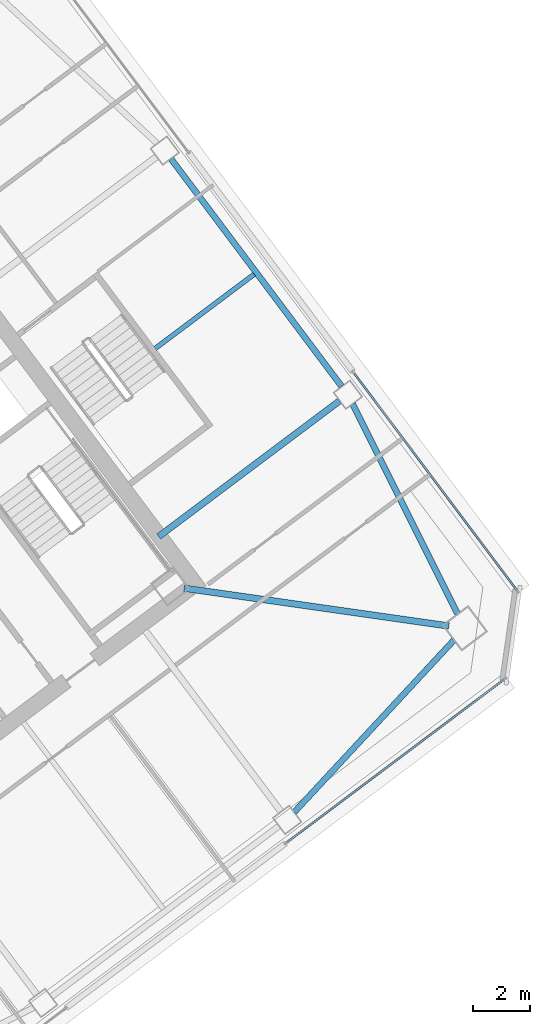
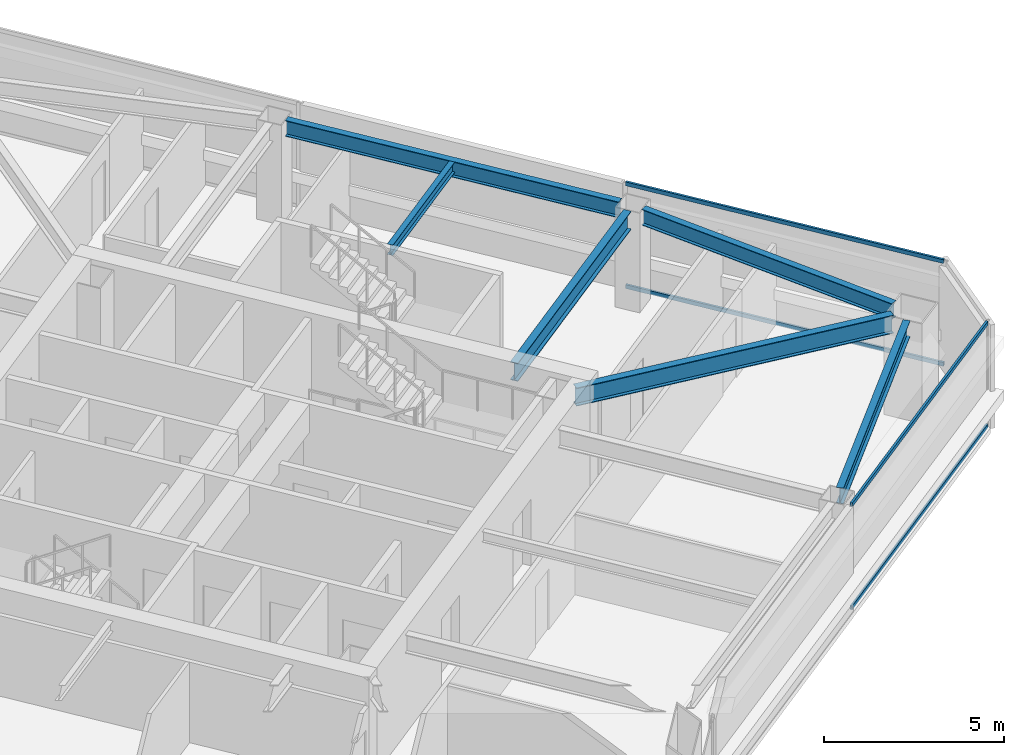
# One storey, part 25 of 41: 6 beams, 4 members, 2 elements without a shape of their own.
"""IFC4 building model written with IfcOpenShell, lengths in metres."""

from ifc_helpers import new_model, si_unit, direction, frame, origin, origin_2d, place, context, subcontext, project, spatial, hollow_rectangle, i_section, extrude, material, material_profile, profile_set, type_object, element, aggregate, save


model = new_model("IFC4")

# Units and contexts
model_context = context("Model", 3, precision=1e-05, world=origin(), true_north=direction((0.0, 1.0)))
body_context = subcontext(model_context, "Body", "Model", "MODEL_VIEW")
ifc_project = project(units=[si_unit("LENGTHUNIT", "METRE"), si_unit("AREAUNIT", "SQUARE_METRE"), si_unit("VOLUMEUNIT", "CUBIC_METRE"), si_unit("PLANEANGLEUNIT", "RADIAN"), si_unit("MASSUNIT", "GRAM", prefix="KILO")], contexts=[model_context])

# Site, building, storey
site_placement = place(None, origin())
site = spatial("IfcSite", under=ifc_project, at=site_placement, CompositionType="ELEMENT")
building_placement = place(site_placement, origin())
building = spatial("IfcBuilding", under=site, at=building_placement, Name="Tashvorn Skyway Center", CompositionType="ELEMENT")
storey_placement = place(building_placement, frame((0.0, 0.0, 192.5)))
storey = spatial("IfcBuildingStorey", under=building, at=storey_placement, Name="L52", CompositionType="ELEMENT", Elevation=192.5)

# Beams
ifc_material_1 = material(Name="Steel ASTM A992 Grade 50", Category="steel")
ifc_material_profile_1 = material_profile(ifc_material_1, i_section(OverallWidth=0.22998046875, OverallDepth=0.616943359375, WebThickness=0.01318359375, FlangeThickness=0.022216796875, at=origin_2d()), Name="W24X94")
ifc_profile_set_1 = profile_set([ifc_material_profile_1], Name="Steel ASTM A992 Grade 50")
beam_type_1 = type_object("IfcBeamType", Name="BM-BEAM-W24X94", PredefinedType="BEAM", material=ifc_profile_set_1)
beam_1_placement = place(storey_placement, frame((133.73583984375, 29.1806640625, 3.0615234375), z_axis=(-0.989950009213, 0.141417747326, 0.0), x_axis=(-0.141417747326, -0.989950009213, 0.0)))
element("IfcBeam", 1, at=beam_1_placement, inside=storey, type_object=beam_type_1, Name="Tower 2 L52 Primary Floor Girder MC-SE", PredefinedType="BEAM", context=body_context, shape_type="SweptSolid", body=[
    extrude(i_section(OverallWidth=0.22998046875, OverallDepth=0.616943359375, WebThickness=0.01318359375, FlangeThickness=0.022216796875, at=origin_2d()), origin(), (0.0, 0.0, 1.0), 9.470947265625),
])
beam_2_placement = place(storey_placement, frame((129.864013671875, 37.14794921875, 3.0615234375), z_axis=(-0.799992675677, -0.60000976564, 0.0), x_axis=(0.60000976564, -0.799992675677, 0.0)))
element("IfcBeam", 2, at=beam_2_placement, inside=storey, type_object=beam_type_1, Name="Tower 2 L52 Primary Floor Girder FC-E1", PredefinedType="BEAM", context=body_context, shape_type="SweptSolid", body=[
    extrude(i_section(OverallWidth=0.22998046875, OverallDepth=0.616943359375, WebThickness=0.01318359375, FlangeThickness=0.022216796875, at=origin_2d()), origin(), (0.0, 0.0, 1.0), 8.0),
])
ifc_material_profile_2 = material_profile(ifc_material_1, i_section(OverallWidth=0.1708984375, OverallDepth=0.35498046875, WebThickness=0.007080078125, FlangeThickness=0.01171875, at=origin_2d()), Name="W14X34")
ifc_profile_set_2 = profile_set([ifc_material_profile_2], Name="Steel ASTM A992 Grade 50")
beam_type_2 = type_object("IfcBeamType", Name="BM-JOIST-W14X34", PredefinedType="JOIST", material=ifc_profile_set_2)
beam_3_placement = place(storey_placement, frame((123.3359375, 39.001953125, 3.1923828125), z_axis=(0.799993315235, 0.600008912917, 0.0), x_axis=(-0.600008912917, 0.799993315235, 0.0)))
element("IfcBeam", 3, at=beam_3_placement, inside=storey, type_object=beam_type_2, Name="Tower 2 L52 Secondary Composite Joist JE", PredefinedType="JOIST", context=body_context, shape_type="SweptSolid", body=[
    extrude(i_section(OverallWidth=0.1708984375, OverallDepth=0.35498046875, WebThickness=0.007080078125, FlangeThickness=0.01171875, at=origin_2d()), origin(), (0.0, 0.0, 1.0), 4.382568359375),
])
ifc_material_profile_3 = material_profile(ifc_material_1, i_section(OverallWidth=0.2109375, OverallDepth=0.5390625, WebThickness=0.01171875, FlangeThickness=0.018798828125, at=origin_2d()), Name="W21X73")
ifc_profile_set_3 = profile_set([ifc_material_profile_3], Name="Steel ASTM A992 Grade 50")
beam_type_3 = type_object("IfcBeamType", Name="BM-SPANDREL-W21X73", PredefinedType="SPANDREL", material=ifc_profile_set_3)
for number, where, z_axis, x_axis, name in (
    (4, (128.26171875, 22.59130859375, 3.1005859375), (0.680119661736, 0.733101115618, 0.0), (-0.733101115618, 0.680119661736, 0.0), "Tower 2 L52 Spandrel Beam 03"),
    (5, (134.044921875, 29.609619140625, 3.1005859375), (-0.447648438059, 0.894209637559, 0.0), (-0.894209637559, -0.447648438059, 0.0), "Tower 2 L52 Spandrel Beam 04"),
):
    element("IfcBeam", number, at=place(storey_placement, frame(where, z_axis=z_axis, x_axis=x_axis)), inside=storey, type_object=beam_type_3, Name=name, PredefinedType="SPANDREL", context=body_context, shape_type="SweptSolid", body=[
        extrude(i_section(OverallWidth=0.2109375, OverallDepth=0.5390625, WebThickness=0.01171875, FlangeThickness=0.018798828125, at=origin_2d()), origin(), (0.0, 0.0, 1.0), 8.308349609375),
    ])
beam_4_placement = place(storey_placement, frame((129.93798828125, 37.666015625, 3.1005859375), z_axis=(-0.599988351091, 0.800008736549, 0.0), x_axis=(-0.800008736549, -0.599988351091, 0.0)))
element("IfcBeam", 6, at=beam_4_placement, inside=storey, type_object=beam_type_3, Name="Tower 2 L52 Spandrel Beam 05", PredefinedType="SPANDREL", context=body_context, shape_type="SweptSolid", body=[
    extrude(i_section(OverallWidth=0.2109375, OverallDepth=0.5390625, WebThickness=0.01171875, FlangeThickness=0.018798828125, at=origin_2d()), origin(), (0.0, 0.0, 1.0), 10.06005859375),
])

# Curtain wall, members
ifc_material_2 = material(Name="Thermally broken bronze-anodized aluminium 6063-T6", Category="aluminium")
curtain_wall_type = type_object("IfcCurtainWallType", Name="CW-CW-Z4", PredefinedType="NOTDEFINED", material=ifc_material_2)
curtain_wall_1_placement = place(storey_placement, origin())
curtain_wall_1 = element("IfcCurtainWall", 7, at=curtain_wall_1_placement, inside=storey, type_object=curtain_wall_type, Name="Tower 2 L52 South Unitised Curtain Wall Glazing Group 1", PredefinedType="NOTDEFINED")
ifc_material_profile_4 = material_profile(ifc_material_2, hollow_rectangle(XDim=0.070068359375, YDim=0.1298828125, WallThickness=0.00390625, at=origin_2d()), Name="ALU-TRAN-70x130")
ifc_profile_set_4 = profile_set([ifc_material_profile_4], Name="Thermally broken bronze-anodized aluminium 6063-T6")
member_type = type_object("IfcMemberType", Name="CWT-CW-Z4", PredefinedType="USERDEFINED", material=ifc_profile_set_4)
member_1_placement = place(storey_placement, frame((135.676025390625, 27.281982421875, 0.034912109375), z_axis=(-0.8, -0.6, 0.0), x_axis=(0.6, -0.8, 0.0)))
member_1 = element("IfcMember", 8, at=member_1_placement, type_object=member_type, Name="CW-Z4 transom 1.1", ObjectType="TRANSOM", PredefinedType="USERDEFINED", context=body_context, shape_type="SweptSolid", body=[
    extrude(hollow_rectangle(XDim=0.070068359375, YDim=0.1298828125, WallThickness=0.00390625, at=origin_2d()), origin(), (0.0, 0.0, 1.0), 9.580078125),
])
member_2_placement = place(storey_placement, frame((135.676025390625, 27.281982421875, 3.514892578125), z_axis=(-0.8, -0.6, 0.0), x_axis=(0.6, -0.8, 0.0)))
member_2 = element("IfcMember", 9, at=member_2_placement, type_object=member_type, Name="CW-Z4 transom 1.2", ObjectType="TRANSOM", PredefinedType="USERDEFINED", context=body_context, shape_type="SweptSolid", body=[
    extrude(hollow_rectangle(XDim=0.070068359375, YDim=0.1298828125, WallThickness=0.00390625, at=origin_2d()), origin(), (0.0, 0.0, 1.0), 9.580078125),
])
aggregate(curtain_wall_1, [member_1, member_2])

curtain_wall_2_placement = place(storey_placement, origin())
curtain_wall_2 = element("IfcCurtainWall", 10, at=curtain_wall_2_placement, inside=storey, type_object=curtain_wall_type, Name="Tower 2 L52 East Unitised Curtain Wall Glazing Group 2", PredefinedType="NOTDEFINED")
member_3_placement = place(storey_placement, frame((130.382080078125, 38.1240234375, 0.034912109375), z_axis=(0.599983689738, -0.800012232437, 0.0), x_axis=(0.800012232437, 0.599983689738, 0.0)))
member_3 = element("IfcMember", 11, at=member_3_placement, type_object=member_type, Name="CW-Z4 transom 1.1", ObjectType="TRANSOM", PredefinedType="USERDEFINED", context=body_context, shape_type="SweptSolid", body=[
    extrude(hollow_rectangle(XDim=0.070068359375, YDim=0.1298828125, WallThickness=0.00390625, at=origin_2d()), origin(), (0.0, 0.0, 1.0), 9.579833984375),
])
member_4_placement = place(storey_placement, frame((130.382080078125, 38.1240234375, 3.514892578125), z_axis=(0.599983689738, -0.800012232437, 0.0), x_axis=(0.800012232437, 0.599983689738, 0.0)))
member_4 = element("IfcMember", 12, at=member_4_placement, type_object=member_type, Name="CW-Z4 transom 1.2", ObjectType="TRANSOM", PredefinedType="USERDEFINED", context=body_context, shape_type="SweptSolid", body=[
    extrude(hollow_rectangle(XDim=0.070068359375, YDim=0.1298828125, WallThickness=0.00390625, at=origin_2d()), origin(), (0.0, 0.0, 1.0), 9.579833984375),
])
aggregate(curtain_wall_2, [member_3, member_4])

save(model, "model.ifc")
